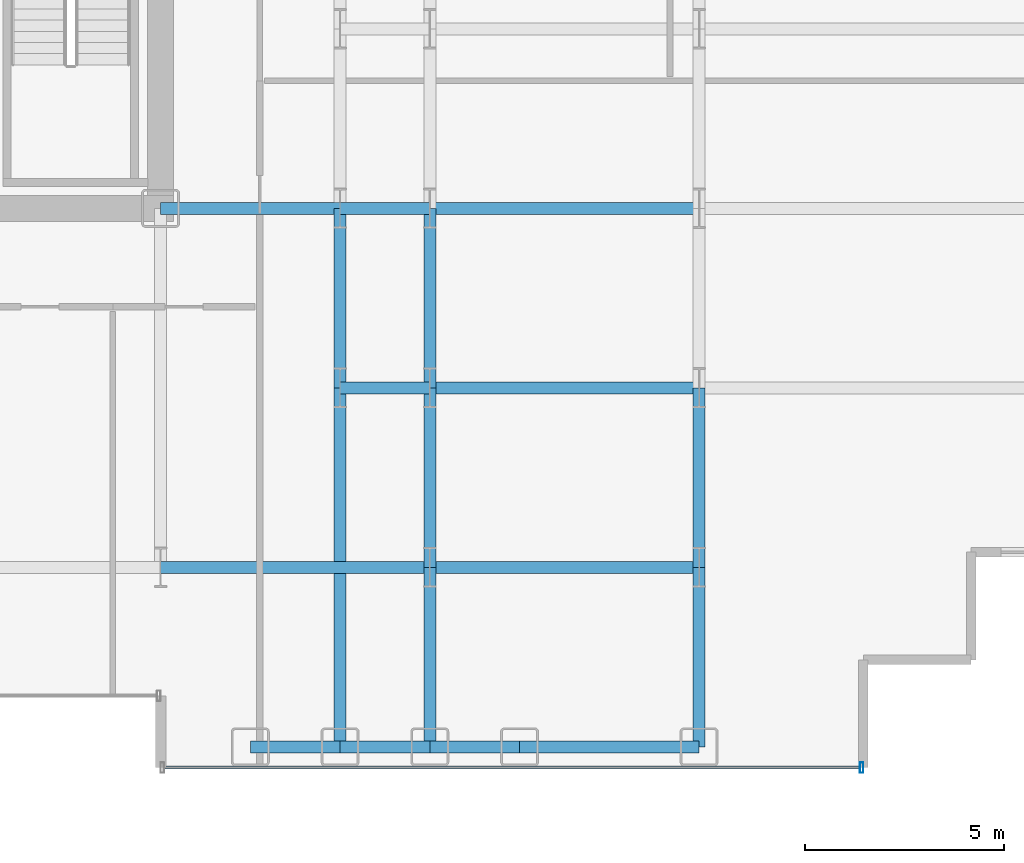
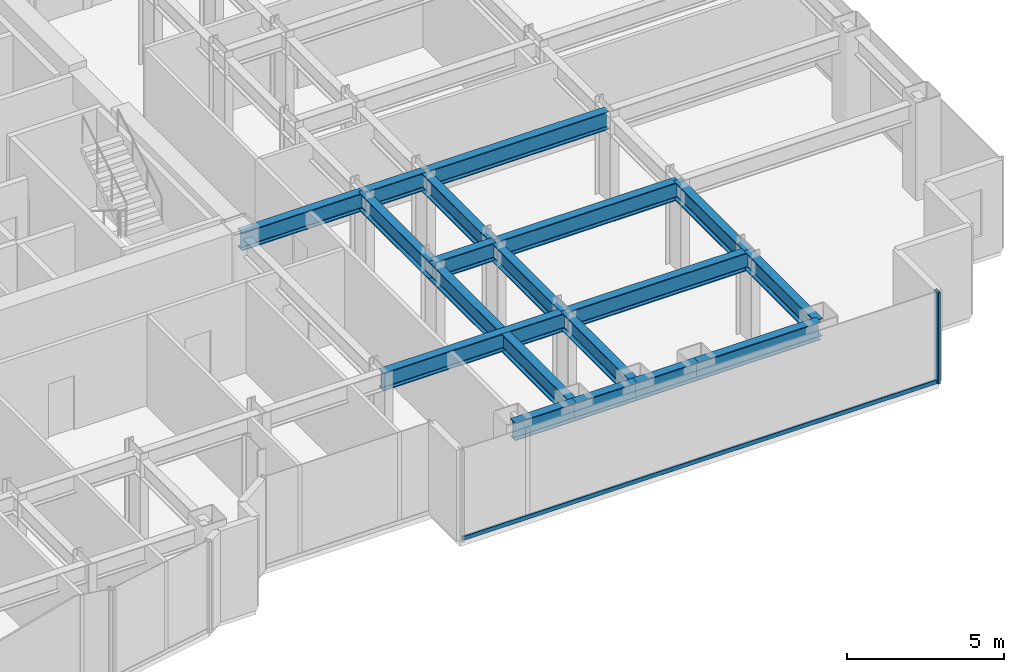
# One storey, part 7 of 25: 18 beams, 2 members, 1 element without a shape of its own.
"""IFC4 building model written with IfcOpenShell, lengths in metres."""

from ifc_helpers import new_model, si_unit, direction, frame, origin, origin_2d, place, context, subcontext, project, spatial, hollow_rectangle, i_section, extrude, source, transform, mapped, material, layer, layer_set, material_profile, profile_set, type_object, element, aggregate, save


model = new_model("IFC4")

# Units and contexts
model_context = context("Model", 3, precision=1e-05, world=origin(), true_north=direction((0.0, 1.0)))
body_context = subcontext(model_context, "Body", "Model", "MODEL_VIEW")
ifc_project = project(units=[si_unit("LENGTHUNIT", "METRE"), si_unit("AREAUNIT", "SQUARE_METRE"), si_unit("VOLUMEUNIT", "CUBIC_METRE"), si_unit("PLANEANGLEUNIT", "RADIAN"), si_unit("MASSUNIT", "GRAM", prefix="KILO")], contexts=[model_context])

# Site, building, storey
site_placement = place(None, origin())
site = spatial("IfcSite", under=ifc_project, at=site_placement, CompositionType="ELEMENT")
building_placement = place(site_placement, origin())
building = spatial("IfcBuilding", under=site, at=building_placement, Name="Nefas-Gora Pilgrimage Tower", CompositionType="ELEMENT")
storey_placement = place(building_placement, frame((0.0, 0.0, 74.800048828125)))
storey = spatial("IfcBuildingStorey", under=building, at=storey_placement, Name="L17", CompositionType="ELEMENT", Elevation=74.800048828125)

# Beams
ifc_material_1 = material(Name="Steel S355", Category="steel")
ifc_material_profile_1 = material_profile(ifc_material_1, i_section(OverallWidth=0.300048828125, OverallDepth=0.699951171875, WebThickness=0.01708984375, FlangeThickness=0.031982421875, FilletRadius=0.027099609375, at=origin_2d()), Name="HEB 700")
ifc_profile_set_1 = profile_set([ifc_material_profile_1], Name="Steel S355")
beam_type_1 = type_object("IfcBeamType", Name="BM-SPN-HEB600", PredefinedType="SPANDREL", material=ifc_profile_set_1)
shared_shape_1 = source(origin(), body_context, "Body", "SweptSolid", [
    extrude(i_section(OverallWidth=0.300048828125, OverallDepth=0.699951171875, WebThickness=0.01708984375, FlangeThickness=0.031982421875, FilletRadius=0.027099609375, at=origin_2d()), origin(), (0.0, 0.0, 1.0), 4.5),
])
beam_1_placement = place(storey_placement, frame((20.25, -22.5, 3.199951171875), z_axis=(1.0, 0.0, 0.0), x_axis=(0.0, 1.0, 0.0)))
element("IfcBeam", 1, at=beam_1_placement, inside=storey, type_object=beam_type_1, Name="L17 SP-01 beam", PredefinedType="SPANDREL", context=body_context, shape_type="MappedRepresentation", body=[
    mapped(shared_shape_1, transform((0.0, 0.0, 0.0), x_axis=(1.0, 0.0, 0.0), y_axis=(0.0, 1.0, 0.0), z_axis=(0.0, 0.0, 1.0), scale=1.0)),
])
ifc_material_profile_2 = material_profile(ifc_material_1, i_section(OverallWidth=0.300048828125, OverallDepth=0.699951171875, WebThickness=0.01708984375, FlangeThickness=0.031982421875, FilletRadius=0.027099609375, at=origin_2d()), Name="HEB 700")
ifc_profile_set_2 = profile_set([ifc_material_profile_2], Name="Steel S355")
beam_type_2 = type_object("IfcBeamType", Name="BM-GIR-HEB700", PredefinedType="BEAM", material=ifc_profile_set_2)
shared_shape_2 = source(origin(), body_context, "Body", "SweptSolid", [
    extrude(i_section(OverallWidth=0.300048828125, OverallDepth=0.699951171875, WebThickness=0.01708984375, FlangeThickness=0.031982421875, FilletRadius=0.027099609375, at=origin_2d()), origin(), (0.0, 0.0, 1.0), 9.0),
])
beam_2_placement = place(storey_placement, frame((15.75, -22.5, 3.199951171875), z_axis=(0.0, 1.0, 0.0), x_axis=(-1.0, 0.0, 0.0)))
element("IfcBeam", 2, at=beam_2_placement, inside=storey, type_object=beam_type_2, Name="L17 G-02 beam", PredefinedType="BEAM", context=body_context, shape_type="MappedRepresentation", body=[
    mapped(shared_shape_2, transform((0.0, 0.0, 0.0), x_axis=(1.0, 0.0, 0.0), y_axis=(0.0, 1.0, 0.0), z_axis=(0.0, 0.0, 1.0), scale=1.0)),
])
shared_shape_3 = source(origin(), body_context, "Body", "SweptSolid", [
    extrude(i_section(OverallWidth=0.300048828125, OverallDepth=0.699951171875, WebThickness=0.01708984375, FlangeThickness=0.031982421875, FilletRadius=0.027099609375, at=origin_2d()), origin(), (0.0, 0.0, 1.0), 4.5),
])
for number, where, z_axis, x_axis, name in (
    (3, (11.25, -9.0, 3.199951171875), (1.0, 0.0, 0.0), (0.0, 1.0, 0.0), "L17 G-02 beam"),
    (4, (15.75, -13.5, 3.199951171875), (0.0, 1.0, 0.0), (-1.0, 0.0, 0.0), "L17 G-02 beam"),
    (5, (18.0, -22.5, 3.199951171875), (0.0, 1.0, 0.0), (-1.0, 0.0, 0.0), "L17 G-02 beam"),
    (6, (18.0, -18.0, 3.199951171875), (0.0, 1.0, 0.0), (-1.0, 0.0, 0.0), "L17 G-02 beam"),
    (7, (18.0, -13.5, 3.199951171875), (0.0, 1.0, 0.0), (-1.0, 0.0, 0.0), "L17 G-02 beam"),
    (8, (24.75, -22.5, 3.199951171875), (0.0, 1.0, 0.0), (-1.0, 0.0, 0.0), "L17 G-02 beam"),
    (9, (24.75, -18.0, 3.199951171875), (0.0, 1.0, 0.0), (-1.0, 0.0, 0.0), "L17 G-02 beam"),
):
    element("IfcBeam", number, at=place(storey_placement, frame(where, z_axis=z_axis, x_axis=x_axis)), inside=storey, type_object=beam_type_2, Name=name, PredefinedType="BEAM", context=body_context, shape_type="MappedRepresentation", body=[
        mapped(shared_shape_3, transform((0.0, 0.0, 0.0), x_axis=(1.0, 0.0, 0.0), y_axis=(0.0, 1.0, 0.0), z_axis=(0.0, 0.0, 1.0), scale=1.0)),
    ])
shared_shape_4 = source(origin(), body_context, "Body", "SweptSolid", [
    extrude(i_section(OverallWidth=0.300048828125, OverallDepth=0.699951171875, WebThickness=0.01708984375, FlangeThickness=0.031982421875, FilletRadius=0.027099609375, at=origin_2d()), origin(), (0.0, 0.0, 1.0), 6.75),
])
for number, where, z_axis, x_axis, name in (
    (10, (11.25, -18.0, 3.199951171875), (1.0, 0.0, 0.0), (0.0, 1.0, 0.0), "L17 G-02 beam"),
    (11, (18.0, -18.0, 3.199951171875), (1.0, 0.0, 0.0), (0.0, 1.0, 0.0), "L17 G-02 beam"),
    (12, (18.0, -13.5, 3.199951171875), (1.0, 0.0, 0.0), (0.0, 1.0, 0.0), "L17 G-02 beam"),
    (13, (18.0, -9.0, 3.199951171875), (1.0, 0.0, 0.0), (0.0, 1.0, 0.0), "L17 G-02 beam"),
):
    element("IfcBeam", number, at=place(storey_placement, frame(where, z_axis=z_axis, x_axis=x_axis)), inside=storey, type_object=beam_type_2, Name=name, PredefinedType="BEAM", context=body_context, shape_type="MappedRepresentation", body=[
        mapped(shared_shape_4, transform((0.0, 0.0, 0.0), x_axis=(1.0, 0.0, 0.0), y_axis=(0.0, 1.0, 0.0), z_axis=(0.0, 0.0, 1.0), scale=1.0)),
    ])
shared_shape_5 = source(origin(), body_context, "Body", "SweptSolid", [
    extrude(i_section(OverallWidth=0.300048828125, OverallDepth=0.699951171875, WebThickness=0.01708984375, FlangeThickness=0.031982421875, FilletRadius=0.027099609375, at=origin_2d()), origin(), (0.0, 0.0, 1.0), 2.25),
])
for number, where, z_axis, x_axis, name in (
    (14, (13.5, -22.5, 3.199951171875), (1.0, 0.0, 0.0), (0.0, 1.0, 0.0), "L17 SP-01 beam"),
    (15, (15.75, -22.5, 3.199951171875), (1.0, 0.0, 0.0), (0.0, 1.0, 0.0), "L17 SP-01 beam"),
    (16, (18.0, -22.5, 3.199951171875), (1.0, 0.0, 0.0), (0.0, 1.0, 0.0), "L17 SP-01 beam"),
):
    element("IfcBeam", number, at=place(storey_placement, frame(where, z_axis=z_axis, x_axis=x_axis)), inside=storey, type_object=beam_type_1, Name=name, PredefinedType="SPANDREL", context=body_context, shape_type="MappedRepresentation", body=[
        mapped(shared_shape_5, transform((0.0, 0.0, 0.0), x_axis=(1.0, 0.0, 0.0), y_axis=(0.0, 1.0, 0.0), z_axis=(0.0, 0.0, 1.0), scale=1.0)),
    ])
shared_shape_6 = source(origin(), body_context, "Body", "SweptSolid", [
    extrude(i_section(OverallWidth=0.300048828125, OverallDepth=0.699951171875, WebThickness=0.01708984375, FlangeThickness=0.031982421875, FilletRadius=0.027099609375, at=origin_2d()), origin(), (0.0, 0.0, 1.0), 2.25),
])
for number, where, z_axis, x_axis, name in (
    (17, (15.75, -13.5, 3.199951171875), (1.0, 0.0, 0.0), (0.0, 1.0, 0.0), "L17 G-02 beam"),
    (18, (15.75, -9.0, 3.199951171875), (1.0, 0.0, 0.0), (0.0, 1.0, 0.0), "L17 G-02 beam"),
):
    element("IfcBeam", number, at=place(storey_placement, frame(where, z_axis=z_axis, x_axis=x_axis)), inside=storey, type_object=beam_type_2, Name=name, PredefinedType="BEAM", context=body_context, shape_type="MappedRepresentation", body=[
        mapped(shared_shape_6, transform((0.0, 0.0, 0.0), x_axis=(1.0, 0.0, 0.0), y_axis=(0.0, 1.0, 0.0), z_axis=(0.0, 0.0, 1.0), scale=1.0)),
    ])

# Curtain wall, members
ifc_material_2 = material(Name="Dark ceramic-fritted solar-control aluminium-glass curtain wall", Category="aluminium")
ifc_layer = layer(ifc_material_2, 0.219970703125)
ifc_layer_set = layer_set([ifc_layer], Name="Dark ceramic-fritted solar-control aluminium-glass curtain wall")
curtain_wall_type = type_object("IfcCurtainWallType", Name="CW-SYS-2", PredefinedType="NOTDEFINED", material=ifc_layer_set)
curtain_wall_placement = place(storey_placement, origin())
curtain_wall = element("IfcCurtainWall", 19, at=curtain_wall_placement, inside=storey, type_object=curtain_wall_type, Name="L17 Unitised Curtain Wall CW2", PredefinedType="NOTDEFINED")
ifc_material_3 = material(Name="Anodised architectural aluminium", Category="aluminium")
ifc_material_profile_3 = material_profile(ifc_material_3, hollow_rectangle(XDim=0.090087890625, YDim=0.260009765625, WallThickness=0.006103515625, InnerFilletRadius=0.006103515625, OuterFilletRadius=0.011962890625, at=origin_2d()), Name="ALU MULLION 90x260")
ifc_profile_set_3 = profile_set([ifc_material_profile_3], Name="Anodised architectural aluminium")
member_type_1 = type_object("IfcMemberType", Name="CWM-MUL-2", PredefinedType="MULLION", material=ifc_profile_set_3)
shared_shape_7 = source(origin(), body_context, "Body", "SweptSolid", [
    extrude(hollow_rectangle(XDim=0.090087890625, YDim=0.260009765625, WallThickness=0.006103515625, InnerFilletRadius=0.006103515625, OuterFilletRadius=0.011962890625, at=origin_2d()), origin(), (0.0, 0.0, 1.0), 3.550048828125),
])
member_1_placement = place(storey_placement, frame((28.824951171875, -23.02001953125, 0.0), z_axis=(0.0, 0.0, 1.0), x_axis=(1.0, 0.0, 0.0)))
member_1 = element("IfcMember", 20, at=member_1_placement, type_object=member_type_1, Name="CW2 Mullion 2", PredefinedType="MULLION", context=body_context, shape_type="MappedRepresentation", body=[
    mapped(shared_shape_7, transform((0.0, 0.0, 0.0), x_axis=(1.0, 0.0, 0.0), y_axis=(0.0, 1.0, 0.0), z_axis=(0.0, 0.0, 1.0), scale=1.0)),
])
ifc_material_profile_4 = material_profile(ifc_material_3, hollow_rectangle(XDim=0.080078125, YDim=0.159912109375, WallThickness=0.00439453125, InnerFilletRadius=0.00439453125, OuterFilletRadius=0.009033203125, at=origin_2d()), Name="ALU TRANSOM 80x160")
ifc_profile_set_4 = profile_set([ifc_material_profile_4], Name="Anodised architectural aluminium")
member_type_2 = type_object("IfcMemberType", Name="CWM-TRN-2", PredefinedType="USERDEFINED", material=ifc_profile_set_4)
shared_shape_8 = source(origin(), body_context, "Body", "SweptSolid", [
    extrude(hollow_rectangle(XDim=0.080078125, YDim=0.159912109375, WallThickness=0.00439453125, InnerFilletRadius=0.00439453125, OuterFilletRadius=0.009033203125, at=origin_2d()), origin(), (0.0, 0.0, 1.0), 17.43994140625),
])
member_2_placement = place(storey_placement, frame((11.340087890625, -23.02001953125, 0.050048828125), z_axis=(1.0, 0.0, 0.0), x_axis=(0.0, 1.0, 0.0)))
member_2 = element("IfcMember", 21, at=member_2_placement, type_object=member_type_2, Name="CW2 Spandrel Transom", ObjectType="TRANSOM", PredefinedType="USERDEFINED", context=body_context, shape_type="MappedRepresentation", body=[
    mapped(shared_shape_8, transform((0.0, 0.0, 0.0), x_axis=(1.0, 0.0, 0.0), y_axis=(0.0, 1.0, 0.0), z_axis=(0.0, 0.0, 1.0), scale=1.0)),
])
aggregate(curtain_wall, [member_1, member_2])

save(model, "model.ifc")
